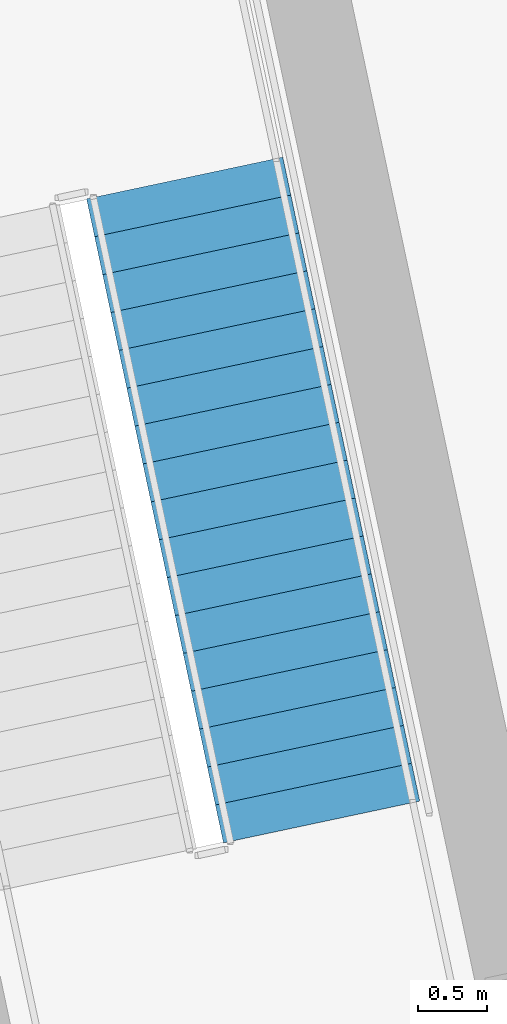
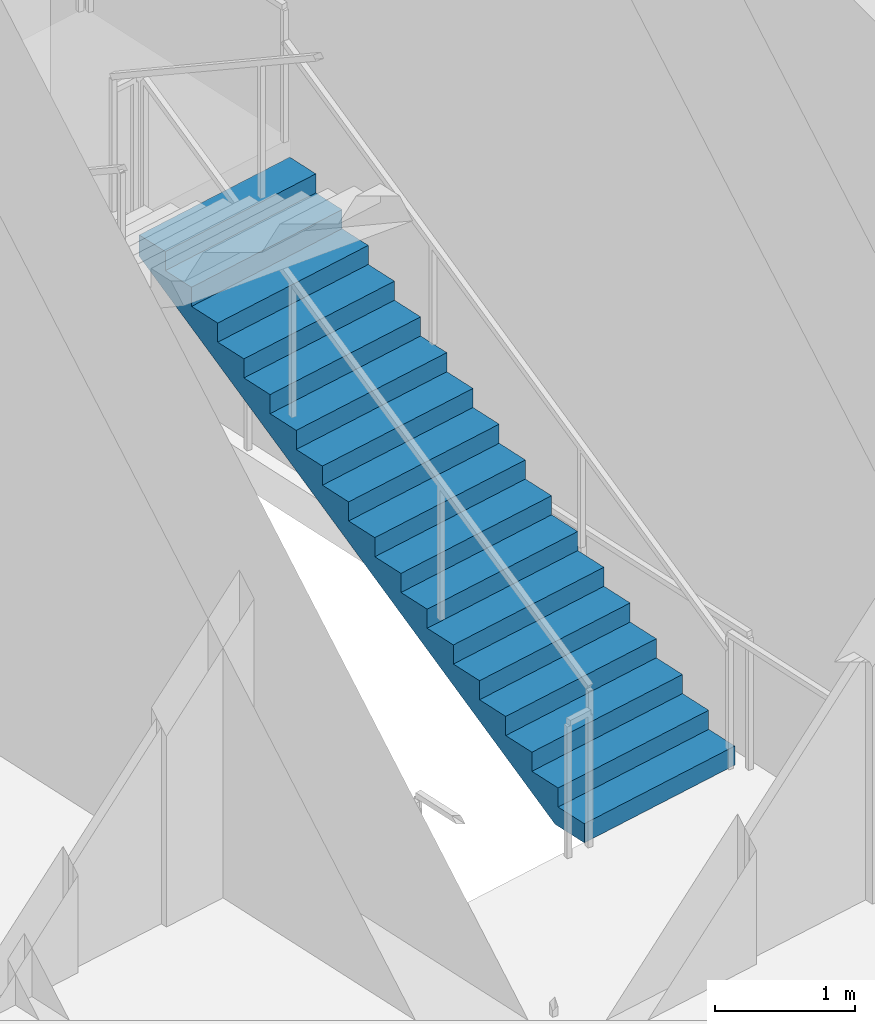
# One storey, part 25 of 30: 1 stair flight, 1 element without a shape of its own.
"""IFC4 building model written with IfcOpenShell, lengths in metres."""

from ifc_helpers import new_model, si_unit, direction, frame, origin, place, context, subcontext, project, spatial, polyline, outline, extrude, material, type_object, element, aggregate, save


model = new_model("IFC4")

# Units and contexts
model_context = context("Model", 3, precision=1e-05, world=origin(), true_north=direction((0.0, 1.0)))
body_context = subcontext(model_context, "Body", "Model", "MODEL_VIEW")
ifc_project = project(units=[si_unit("LENGTHUNIT", "METRE"), si_unit("AREAUNIT", "SQUARE_METRE"), si_unit("VOLUMEUNIT", "CUBIC_METRE"), si_unit("PLANEANGLEUNIT", "RADIAN"), si_unit("MASSUNIT", "GRAM", prefix="KILO")], contexts=[model_context])

# Site, building, storey
site_placement = place(None, origin())
site = spatial("IfcSite", under=ifc_project, at=site_placement, CompositionType="ELEMENT")
building_placement = place(site_placement, origin())
building = spatial("IfcBuilding", under=site, at=building_placement, Name="Haevon Station Towers", CompositionType="ELEMENT")
storey_placement = place(building_placement, origin())
storey = spatial("IfcBuildingStorey", under=building, at=storey_placement, Name="L00", CompositionType="ELEMENT", Elevation=0.0)

# Stair, stair flight
ifc_material = material(Name="Concrete C40/50", Category="concrete")
stair_type = type_object("IfcStairType", Name="STR-DL1450", PredefinedType="USERDEFINED", material=ifc_material)
stair_placement = place(storey_placement, origin())
stair = element("IfcStair", 1, at=stair_placement, inside=storey, type_object=stair_type, Name="L00 Escape Stair ST4", ObjectType="TWO_RETURN_STAIR", PredefinedType="USERDEFINED")
stair_flight_type = type_object("IfcStairFlightType", Name="STF-ST1450", PredefinedType="STRAIGHT", material=ifc_material)
stair_flight_placement = place(storey_placement, frame((117.788818359375, 43.380126953125, 0.0), z_axis=(0.0, 0.0, 1.0), x_axis=(-0.207911690818, 0.978147600734, 0.0)))
stair_flight = element("IfcStairFlight", 2, at=stair_flight_placement, type_object=stair_flight_type, Name="L00 ST4 Flight 1", NumberOfRisers=18, NumberOfTreads=17, PredefinedType="STRAIGHT", RiserHeight=0.166666667, TreadLength=0.28, context=body_context, shape_type="SweptSolid", body=[
    extrude(outline(polyline([(0.0, 0.0), (0.0, 0.166748046875), (0.280029296875, 0.166748046875), (0.280029296875, 0.333251953125), (0.56005859375, 0.333251953125), (0.56005859375, 0.5), (0.840087890625, 0.5), (0.840087890625, 0.666748046875), (1.1201171875, 0.666748046875), (1.1201171875, 0.833251953125), (1.39990234375, 0.833251953125), (1.39990234375, 1.0), (1.679931640625, 1.0), (1.679931640625, 1.166748046875), (1.9599609375, 1.166748046875), (1.9599609375, 1.333251953125), (2.239990234375, 1.333251953125), (2.239990234375, 1.5), (2.52001953125, 1.5), (2.52001953125, 1.666748046875), (2.800048828125, 1.666748046875), (2.800048828125, 1.833251953125), (3.080078125, 1.833251953125), (3.080078125, 2.0), (3.360107421875, 2.0), (3.360107421875, 2.166748046875), (3.639892578125, 2.166748046875), (3.639892578125, 2.333251953125), (3.919921875, 2.333251953125), (3.919921875, 2.5), (4.199951171875, 2.5), (4.199951171875, 2.666748046875), (4.47998046875, 2.666748046875), (4.47998046875, 2.833251953125), (4.760009765625, 2.833251953125), (4.760009765625, 3.0), (4.760009765625, 2.647216796875), (0.312744140625, 0.0), (0.0, 0.0)])), frame((0.0, 0.72509765625, 0.0), z_axis=(0.0, -1.0, 0.0), x_axis=(1.0, 0.0, 0.0)), (0.0, 0.0, 1.0), 1.449951171875),
])
aggregate(stair, [stair_flight])

save(model, "model.ifc")
